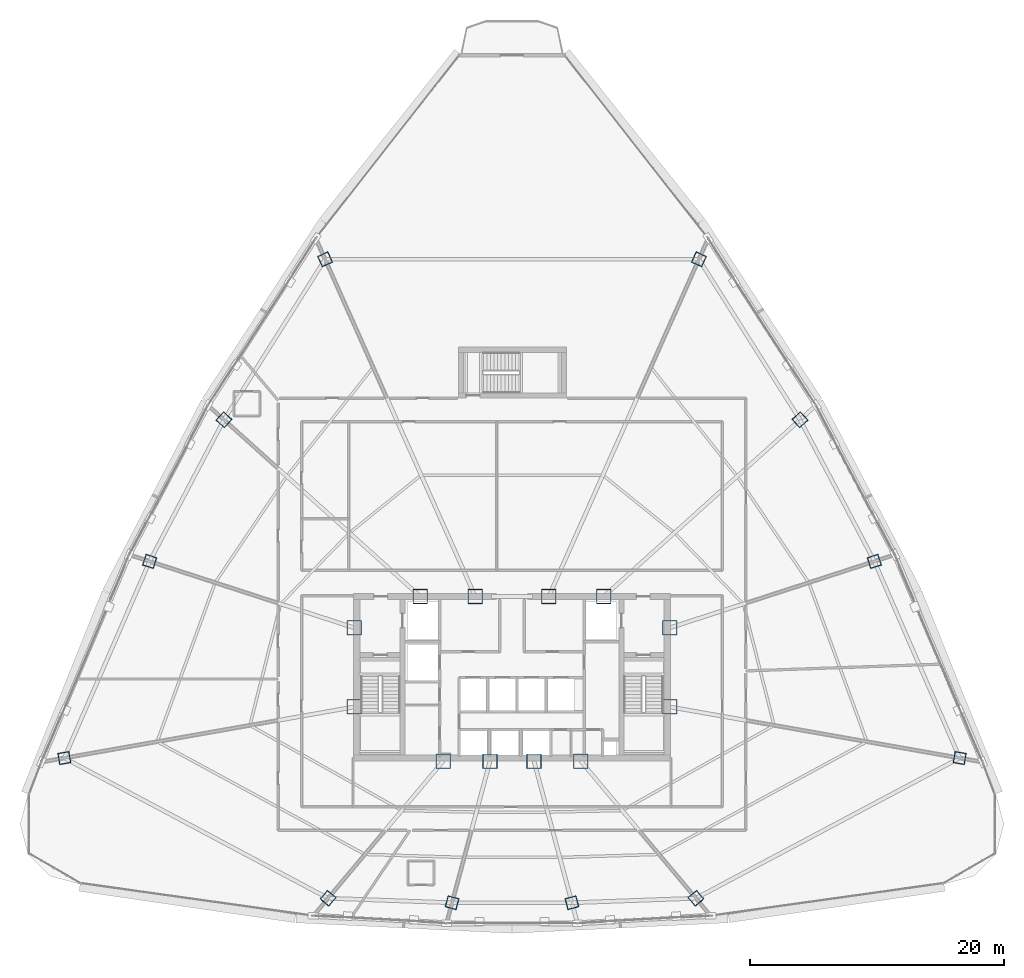
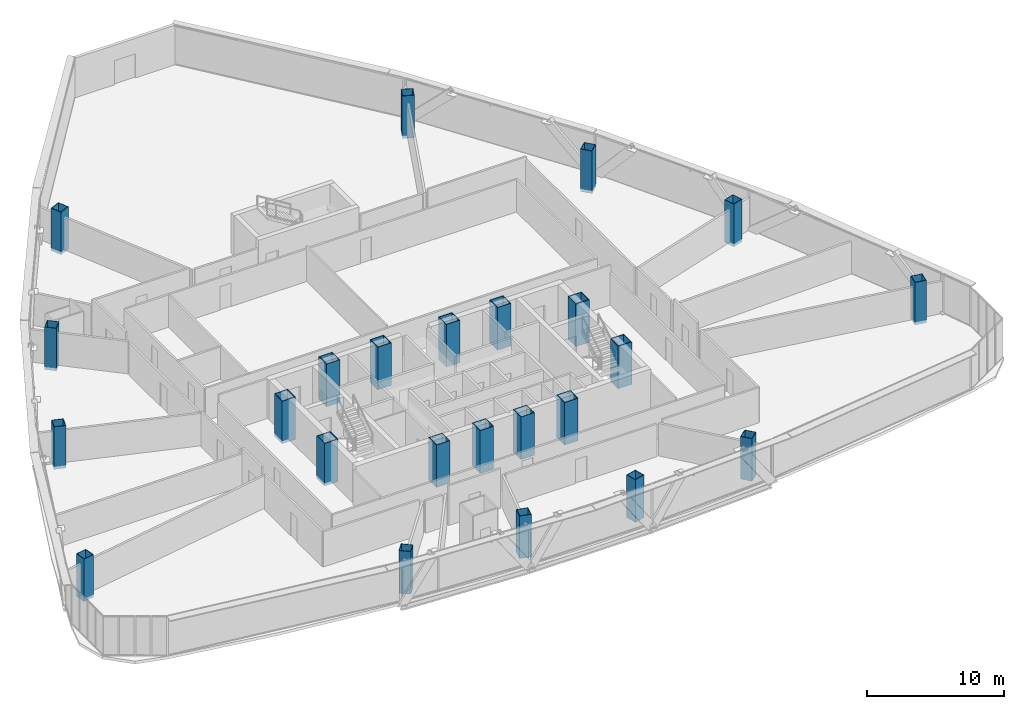
# One storey, part 1 of 37: 24 columns.
"""IFC4 building model written with IfcOpenShell, lengths in metres."""

from ifc_helpers import new_model, si_unit, direction, frame, origin, origin_2d, place, context, subcontext, project, spatial, hollow_rectangle, extrude, source, transform, mapped, material, material_profile, profile_set, type_object, element, save


model = new_model("IFC4")

# Units and contexts
model_context = context("Model", 3, precision=1e-05, world=origin(), true_north=direction((0.0, 1.0)))
body_context = subcontext(model_context, "Body", "Model", "MODEL_VIEW")
ifc_project = project(units=[si_unit("LENGTHUNIT", "METRE"), si_unit("AREAUNIT", "SQUARE_METRE"), si_unit("VOLUMEUNIT", "CUBIC_METRE"), si_unit("PLANEANGLEUNIT", "RADIAN"), si_unit("MASSUNIT", "GRAM", prefix="KILO"), si_unit("THERMODYNAMICTEMPERATUREUNIT", "KELVIN"), si_unit("POWERUNIT", "WATT")], contexts=[model_context])

# Site, building, storey
site_placement = place(None, origin())
site = spatial("IfcSite", under=ifc_project, at=site_placement, CompositionType="ELEMENT")
building_placement = place(site_placement, origin())
building = spatial("IfcBuilding", under=site, at=building_placement, Name="Yunzhuo Pagoda Commons", CompositionType="ELEMENT")
storey_placement = place(building_placement, frame((0.0, 0.0, 207.56005859375)))
storey = spatial("IfcBuildingStorey", under=building, at=storey_placement, Name="L52", CompositionType="ELEMENT", Elevation=207.56005859375)

# Columns
ifc_material = material(Name="Structural steel Q420B", Category="steel")
ifc_material_profile_1 = material_profile(ifc_material, hollow_rectangle(XDim=1.14990234375, YDim=1.14990234375, WallThickness=0.048095703125, at=origin_2d()), Name="Structural steel Q420B")
ifc_profile_set_1 = profile_set([ifc_material_profile_1], Name="Structural steel Q420B")
column_type_1 = type_object("IfcColumnType", Name="C-COR Column BOX 1150x1150x48", PredefinedType="COLUMN", material=ifc_profile_set_1)
shared_shape_1 = source(origin(), body_context, "Body", "SweptSolid", [
    extrude(hollow_rectangle(XDim=1.14990234375, YDim=1.14990234375, WallThickness=0.048095703125, at=origin_2d()), origin(), (0.0, 0.0, 1.0), 3.800048828125),
])
for number, where, z_axis, x_axis, name in (
    (1, (42.587890625, 27.25, -0.260009765625), (0.0, 0.0, 1.0), (1.0, 0.0, 0.0), "L52 core composite column F1C1"),
    (2, (46.27197265625, 27.25, -0.260009765625), (0.0, 0.0, 1.0), (1.0, 0.0, 0.0), "L52 core composite column F1C2"),
    (3, (49.728515625, 27.25, -0.260009765625), (0.0, 0.0, 1.0), (1.0, 0.0, 0.0), "L52 core composite column F1C3"),
    (4, (53.412109375, 27.25, -0.260009765625), (0.0, 0.0, 1.0), (1.0, 0.0, 0.0), "L52 core composite column F1C4"),
    (5, (60.39990234375, 31.513427734375, -0.260009765625), (0.0, 0.0, 1.0), (1.0, 0.0, 0.0), "L52 core composite column F2C1"),
    (6, (60.39990234375, 37.72900390625, -0.260009765625), (0.0, 0.0, 1.0), (1.0, 0.0, 0.0), "L52 core composite column F2C2"),
    (7, (55.218994140625, 40.199951171875, -0.260009765625), (0.0, 0.0, 1.0), (1.0, 0.0, 0.0), "L52 core composite column F2C3"),
    (8, (50.89404296875, 40.199951171875, -0.260009765625), (0.0, 0.0, 1.0), (1.0, 0.0, 0.0), "L52 core composite column F2C4"),
    (9, (45.10595703125, 40.199951171875, -0.260009765625), (0.0, 0.0, 1.0), (1.0, 0.0, 0.0), "L52 core composite column F3C1"),
    (10, (40.781005859375, 40.199951171875, -0.260009765625), (0.0, 0.0, 1.0), (1.0, 0.0, 0.0), "L52 core composite column F3C2"),
    (11, (35.60009765625, 37.72900390625, -0.260009765625), (0.0, 0.0, 1.0), (1.0, 0.0, 0.0), "L52 core composite column F3C3"),
    (12, (35.60009765625, 31.513427734375, -0.260009765625), (0.0, 0.0, 1.0), (1.0, 0.0, 0.0), "L52 core composite column F3C4"),
):
    element("IfcColumn", number, at=place(storey_placement, frame(where, z_axis=z_axis, x_axis=x_axis)), inside=storey, type_object=column_type_1, Name=name, PredefinedType="COLUMN", context=body_context, shape_type="MappedRepresentation", body=[
        mapped(shared_shape_1, transform((0.0, 0.0, 0.0), scale=1.0)),
    ])
ifc_material_profile_2 = material_profile(ifc_material, hollow_rectangle(XDim=0.89990234375, YDim=0.89990234375, WallThickness=0.035888671875, at=origin_2d()), Name="Structural steel Q420B")
ifc_profile_set_2 = profile_set([ifc_material_profile_2], Name="Structural steel Q420B")
column_type_2 = type_object("IfcColumnType", Name="C-Z4 Column BOX 900x900x36", PredefinedType="COLUMN", material=ifc_profile_set_2)
shared_shape_2 = source(origin(), body_context, "Body", "SweptSolid", [
    extrude(hollow_rectangle(XDim=0.89990234375, YDim=0.89990234375, WallThickness=0.035888671875, at=origin_2d()), origin(), (0.0, 0.0, 1.0), 3.800048828125),
])
for number, where, z_axis, x_axis, name in (
    (13, (33.538818359375, 16.4658203125, -0.260009765625), (0.0, 0.0, 1.0), (0.766044443119, -0.642787609687, 0.0), "L52 tower column F1C1"),
    (14, (43.28759765625, 16.1123046875, -0.260009765625), (0.0, 0.0, 1.0), (0.965925826289, -0.258819045103, 0.0), "L52 tower column F1C2"),
    (15, (52.712890625, 16.1123046875, -0.260009765625), (0.0, 0.0, 1.0), (0.965925826289, 0.258819045103, 0.0), "L52 tower column F1C3"),
    (16, (62.461181640625, 16.4658203125, -0.260009765625), (0.0, 0.0, 1.0), (0.766044443119, 0.642787609687, 0.0), "L52 tower column F1C4"),
    (17, (83.20654296875, 27.492431640625, -0.260009765625), (0.0, 0.0, 1.0), (0.173648177667, 0.984807753012, 0.0), "L52 tower column F2C1"),
    (18, (76.49462890625, 42.95849609375, -0.260009765625), (0.0, 0.0, 1.0), (-0.309016994375, 0.951056516295, 0.0), "L52 tower column F2C2"),
    (19, (70.650634765625, 54.0947265625, -0.260009765625), (0.0, 0.0, 1.0), (-0.669130606359, 0.743144825477, 0.0), "L52 tower column F2C3"),
    (20, (62.698974609375, 66.714599609375, -0.260009765625), (0.0, 0.0, 1.0), (-0.913545457643, 0.406736643076, 0.0), "L52 tower column F2C4"),
    (21, (33.301025390625, 66.714599609375, -0.260009765625), (0.0, 0.0, 1.0), (-0.913545457643, -0.406736643076, 0.0), "L52 tower column F3C1"),
    (22, (25.349365234375, 54.0947265625, -0.260009765625), (0.0, 0.0, 1.0), (-0.669130606359, -0.743144825477, 0.0), "L52 tower column F3C2"),
    (23, (19.50537109375, 42.95849609375, -0.260009765625), (0.0, 0.0, 1.0), (-0.309016994375, -0.951056516295, 0.0), "L52 tower column F3C3"),
    (24, (12.79345703125, 27.492431640625, -0.260009765625), (0.0, 0.0, 1.0), (0.173648177667, -0.984807753012, 0.0), "L52 tower column F3C4"),
):
    element("IfcColumn", number, at=place(storey_placement, frame(where, z_axis=z_axis, x_axis=x_axis)), inside=storey, type_object=column_type_2, Name=name, PredefinedType="COLUMN", context=body_context, shape_type="MappedRepresentation", body=[
        mapped(shared_shape_2, transform((0.0, 0.0, 0.0), scale=1.0)),
    ])

save(model, "model.ifc")
